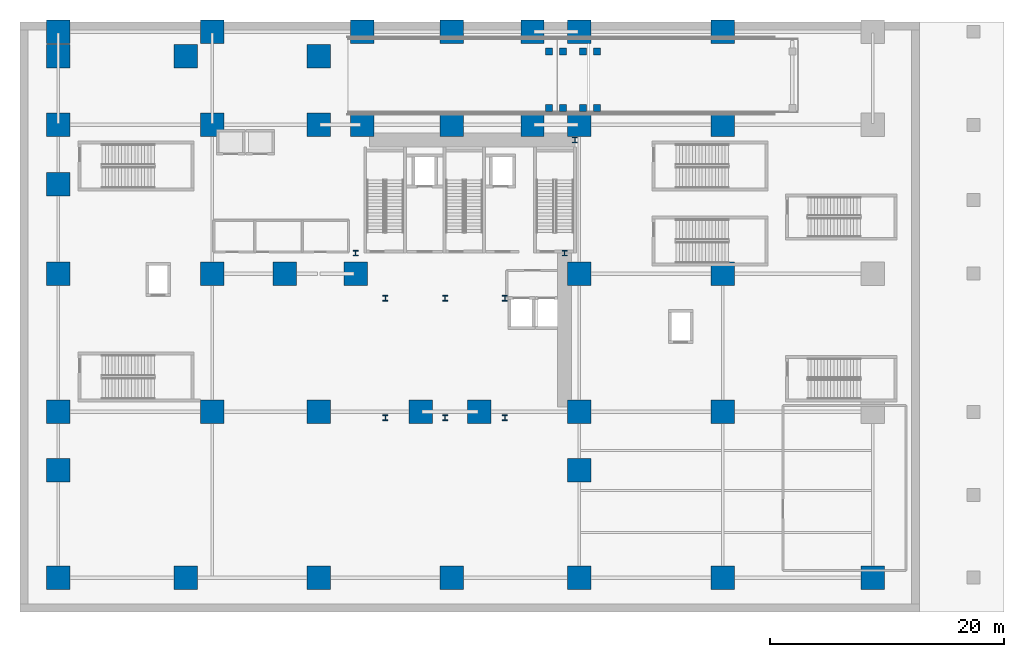
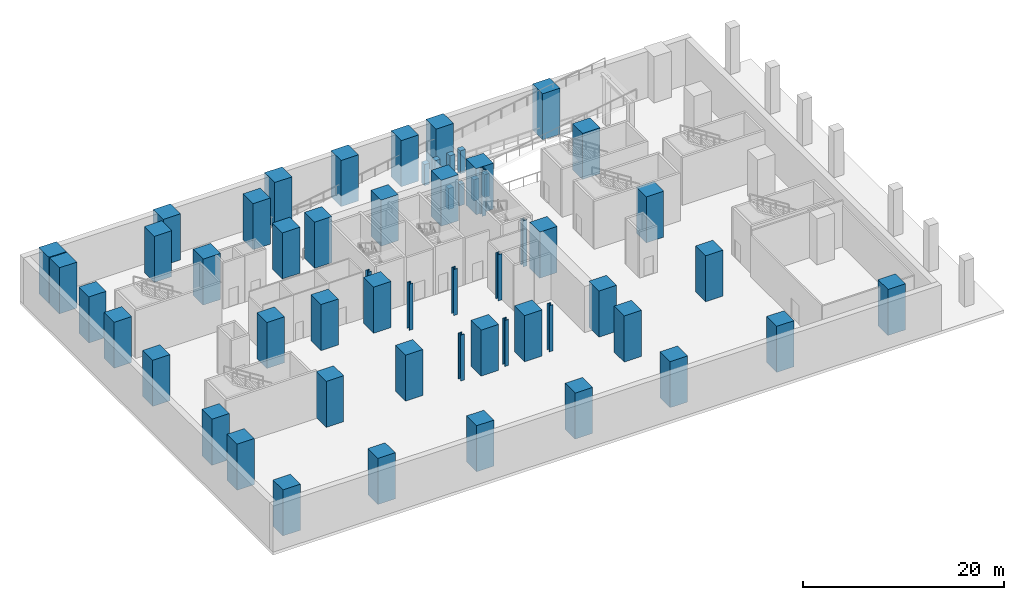
# One storey, part 1 of 16: 58 columns.
"""IFC4 building model written with IfcOpenShell, lengths in metres."""

import ifcopenshell
import ifcopenshell.guid

model = None  # the IFC model being written
_history = None  # IfcOwnerHistory: only IFC2X3 demands one
_inside = {}  # id of a spatial element -> (the spatial element, [elements in it])
_under = {}  # id of a project, library or spatial element -> (it, [spatial elements below it])
_declared = {}  # id of a project -> (the project, [libraries it declares])
_typed = {}  # id of a type object -> (the type object, [elements of that type])
_made_of = {}  # id of a material, layer set ... -> (it, [elements and type objects made of it])


def new_model(schema):
    """Start an empty IFC model of exactly this schema.

    Asked for "IFC4X3", IfcOpenShell would pick the latest addendum, in which some entities
    have other attributes; the version numbers below select the first issue.
    IFC2X3 requires an IfcOwnerHistory on every rooted entity: one is made here for all.
    """
    global model, _history
    if schema == "IFC4X3":
        model = ifcopenshell.file(schema_version=(4, 3, 0, 0))
    else:
        model = ifcopenshell.file(schema=schema)
    _inside.clear()
    _under.clear()
    _declared.clear()
    _typed.clear()
    _made_of.clear()
    _history = None
    if model.schema == "IFC2X3":
        org = make("IfcOrganization", Name="unknown")
        user = make(
            "IfcPersonAndOrganization",
            ThePerson=make("IfcPerson", FamilyName="unknown"),
            TheOrganization=org,
        )
        app = make(
            "IfcApplication",
            ApplicationDeveloper=org,
            Version="unknown",
            ApplicationFullName="unknown",
            ApplicationIdentifier="unknown",
        )
        _history = make(
            "IfcOwnerHistory",
            OwningUser=user,
            OwningApplication=app,
            ChangeAction="ADDED",
            CreationDate=0,
        )
    return model


def make(cls, **values):
    """One entity of the class cls with the attributes given. An attribute that is None is left unset."""
    return model.create_entity(
        cls, **{name: value for name, value in values.items() if value is not None}
    )


def rooted(cls, **values):
    """An entity with a GlobalId (a new one), such as an element, a storey or a relation."""
    return make(cls, GlobalId=ifcopenshell.guid.new(), OwnerHistory=_history, **values)


def si_unit(unit_type, name, prefix=None):
    """IfcSIUnit, for example si_unit("LENGTHUNIT", "METRE", prefix="MILLI")."""
    return make("IfcSIUnit", UnitType=unit_type, Prefix=prefix, Name=name)


def assignment(units):
    """IfcUnitAssignment: the units of a project."""
    return None if units is None else make("IfcUnitAssignment", Units=units)


def point(xyz):
    """IfcCartesianPoint."""
    return None if xyz is None else make("IfcCartesianPoint", Coordinates=xyz)


def direction(xyz):
    """IfcDirection."""
    return None if xyz is None else make("IfcDirection", DirectionRatios=xyz)


def frame(location, z_axis=None, x_axis=None):
    """IfcAxis2Placement3D, a coordinate frame: its origin and axes. An axis left out is left unset."""
    return make(
        "IfcAxis2Placement3D",
        Location=point(location),
        Axis=direction(z_axis),
        RefDirection=direction(x_axis),
    )


def frame_2d(location, x_axis=None):
    """IfcAxis2Placement2D, a coordinate frame in the plane: its origin and x axis."""
    return make(
        "IfcAxis2Placement2D", Location=point(location), RefDirection=direction(x_axis)
    )


def origin():
    """The frame at (0, 0, 0) with its axes left unset."""
    return frame((0.0, 0.0, 0.0))


def origin_2d():
    """The frame at (0, 0) in the plane with its x axis left unset."""
    return frame_2d((0.0, 0.0))


def place(relative_to, where):
    """IfcLocalPlacement: puts the frame where relative to a parent placement (None: the world)."""
    return make(
        "IfcLocalPlacement", PlacementRelTo=relative_to, RelativePlacement=where
    )


def context(
    kind, dimensions, precision=None, world=None, true_north=None, identifier=None
):
    """IfcGeometricRepresentationContext, for example the 3D "Model" context."""
    return make(
        "IfcGeometricRepresentationContext",
        ContextIdentifier=identifier,
        ContextType=kind,
        CoordinateSpaceDimension=dimensions,
        Precision=precision,
        WorldCoordinateSystem=world,
        TrueNorth=true_north,
    )


def subcontext(parent, identifier, kind, view, scale=None):
    """IfcGeometricRepresentationSubContext, for example "Body" below "Model"."""
    return make(
        "IfcGeometricRepresentationSubContext",
        ContextIdentifier=identifier,
        ContextType=kind,
        ParentContext=parent,
        TargetScale=scale,
        TargetView=view,
    )


def project(units=None, contexts=None):
    """IfcProject with its units and contexts."""
    return rooted(
        "IfcProject",
        Name="project",
        RepresentationContexts=contexts,
        UnitsInContext=assignment(units),
    )


def spatial(cls, under=None, at=None, **own):
    """A site, building, storey or space (cls), placed at a placement, below another one or the project."""
    s = rooted(cls, ObjectPlacement=at, **own)
    if under is not None:
        _under.setdefault(under.id(), (under, []))[1].append(s)
    return s


def profile(cls, at=None, kind="AREA", **sizes):
    """A parametric profile (cls). Its sizes go by their IFC names, for example OverallWidth=200.0."""
    return make(cls, ProfileType=kind, Position=at, **sizes)


def rectangle(**sizes):
    """IfcRectangleProfileDef."""
    return profile("IfcRectangleProfileDef", **sizes)


def i_section(**sizes):
    """IfcIShapeProfileDef."""
    return profile("IfcIShapeProfileDef", **sizes)


def extrude(swept, where, along, depth):
    """IfcExtrudedAreaSolid: the profile swept, set in the frame where, extruded along a direction by depth."""
    return make(
        "IfcExtrudedAreaSolid",
        SweptArea=swept,
        Position=where,
        ExtrudedDirection=direction(along),
        Depth=depth,
    )


def shape(context_of_items, identifier, shape_type, items):
    """IfcShapeRepresentation: the items that make up one representation, for example the "Body"."""
    return make(
        "IfcShapeRepresentation",
        ContextOfItems=context_of_items,
        RepresentationIdentifier=identifier,
        RepresentationType=shape_type,
        Items=items,
    )


def source(mapping_origin, context_of_items, identifier, shape_type, items):
    """IfcRepresentationMap: a shape defined once, which mapped items show again and again."""
    return make(
        "IfcRepresentationMap",
        MappingOrigin=mapping_origin,
        MappedRepresentation=shape(context_of_items, identifier, shape_type, items),
    )


def transform(
    local_origin,
    x_axis=None,
    y_axis=None,
    z_axis=None,
    scale=None,
    scale2=None,
    scale3=None,
    uniform=True,
):
    """IfcCartesianTransformationOperator3D, or its non-uniform kind. x_axis, y_axis, z_axis: its Axis1, 2, 3."""
    if uniform:
        return make(
            "IfcCartesianTransformationOperator3D",
            Axis1=direction(x_axis),
            Axis2=direction(y_axis),
            LocalOrigin=point(local_origin),
            Scale=scale,
            Axis3=direction(z_axis),
        )
    return make(
        "IfcCartesianTransformationOperator3DnonUniform",
        Axis1=direction(x_axis),
        Axis2=direction(y_axis),
        LocalOrigin=point(local_origin),
        Scale=scale,
        Axis3=direction(z_axis),
        Scale2=scale2,
        Scale3=scale3,
    )


def mapped(mapping_source, mapping_target):
    """IfcMappedItem: shows the shape of a source again, moved by a transform."""
    return make(
        "IfcMappedItem", MappingSource=mapping_source, MappingTarget=mapping_target
    )


def material(Name=None, Category=None):
    """IfcMaterial."""
    return make("IfcMaterial", Name=Name, Category=Category)


def material_profile(
    of_material, cross_section, Name=None, Category=None, Priority=None
):
    """IfcMaterialProfile: a cross section and its material."""
    return make(
        "IfcMaterialProfile",
        Name=Name,
        Material=of_material,
        Profile=cross_section,
        Priority=Priority,
        Category=Category,
    )


def profile_set(profiles, Name=None, composite=None):
    """IfcMaterialProfileSet."""
    return make(
        "IfcMaterialProfileSet",
        Name=Name,
        MaterialProfiles=profiles,
        CompositeProfile=composite,
    )


def made_of(thing, what):
    """Note that an element or type object is made of a material, layer set ...; save() writes the relation."""
    if what is not None:
        _made_of.setdefault(what.id(), (what, []))[1].append(thing)
    return thing


def type_object(cls, material=None, **own):
    """A type object (cls), such as IfcWallType, which elements share."""
    return made_of(rooted(cls, **own), material)


def element(
    cls,
    number,
    at=None,
    inside=None,
    cuts=None,
    type_object=None,
    material=None,
    context=None,
    identifier="Body",
    shape_type=None,
    held_by="IfcProductDefinitionShape",
    body=None,
    shapes=None,
    **own,
):
    """One element of the class cls, such as IfcWall. Its Tag is "e" and its number.

    at: its placement. inside: the storey or other place that contains it. cuts: it is an
    opening in that element (IfcRelVoidsElement). A single representation is given by context,
    identifier, shape_type and body (its items); several are given by shapes. held_by: the class
    of the entity that holds the representations. save() writes the other relations.
    """
    e = rooted(cls, Tag="e%d" % number, ObjectPlacement=at, **own)
    if body is not None:
        shapes = [shape(context, identifier, shape_type, body)]
    if shapes is not None:
        e.Representation = make(held_by, Representations=shapes)
    if inside is not None:
        _inside.setdefault(inside.id(), (inside, []))[1].append(e)
    if cuts is not None:
        rooted(
            "IfcRelVoidsElement", RelatingBuildingElement=cuts, RelatedOpeningElement=e
        )
    if type_object is not None:
        _typed.setdefault(type_object.id(), (type_object, []))[1].append(e)
    return made_of(e, material)


def aggregate(whole, parts):
    """IfcRelAggregates: a whole, such as a stair, and the parts it consists of."""
    return rooted("IfcRelAggregates", RelatingObject=whole, RelatedObjects=parts)


def save(model, path):
    """Write the relations noted so far, then the file.

    IfcRelAggregates (storeys below a building ...), IfcRelContainedInSpatialStructure (elements
    in a storey), IfcRelDefinesByType, IfcRelAssociatesMaterial and IfcRelDeclares: one each for
    every whole, place, type object, material and project.
    """
    for whole, parts in _under.values():
        aggregate(whole, parts)
    for where, things in _inside.values():
        rooted(
            "IfcRelContainedInSpatialStructure",
            RelatedElements=things,
            RelatingStructure=where,
        )
    for kind, things in _typed.values():
        rooted("IfcRelDefinesByType", RelatedObjects=things, RelatingType=kind)
    for what, things in _made_of.values():
        rooted("IfcRelAssociatesMaterial", RelatedObjects=things, RelatingMaterial=what)
    for by, libraries in _declared.values():
        rooted("IfcRelDeclares", RelatingContext=by, RelatedDefinitions=libraries)
    model.write(path)


model = new_model("IFC4")

# Units and contexts
model_context = context("Model", 3, precision=1e-05, world=origin(), true_north=direction((0.0, 1.0)))
body_context = subcontext(model_context, "Body", "Model", "MODEL_VIEW")
ifc_project = project(units=[si_unit("LENGTHUNIT", "METRE"), si_unit("AREAUNIT", "SQUARE_METRE"), si_unit("VOLUMEUNIT", "CUBIC_METRE"), si_unit("PLANEANGLEUNIT", "RADIAN"), si_unit("MASSUNIT", "GRAM", prefix="KILO")], contexts=[model_context])

# Site, building, storey
site_placement = place(None, origin())
site = spatial("IfcSite", under=ifc_project, at=site_placement, CompositionType="ELEMENT")
building_placement = place(site_placement, origin())
building = spatial("IfcBuilding", under=site, at=building_placement, Name="Vardaveli Station Tower", CompositionType="ELEMENT")
storey_placement = place(building_placement, frame((0.0, 0.0, -6.0)))
storey = spatial("IfcBuildingStorey", under=building, at=storey_placement, Name="B01", CompositionType="ELEMENT", Elevation=-6.0)

# Columns
ifc_material_1 = material(Name="Structural steel S460M", Category="steel")
ifc_material_profile_1 = material_profile(ifc_material_1, i_section(OverallWidth=0.427978515625, OverallDepth=0.48095703125, WebThickness=0.03955078125, FlangeThickness=0.0634765625, FilletRadius=0.014892578125, at=origin_2d()), Name="HD 400x677")
ifc_profile_set_1 = profile_set([ifc_material_profile_1], Name="Structural steel S460M")
column_type_1 = type_object("IfcColumnType", Name="COL-HD677", PredefinedType="COLUMN", material=ifc_profile_set_1)
shared_shape_1 = source(origin(), body_context, "Body", "SweptSolid", [
    extrude(i_section(OverallWidth=0.427978515625, OverallDepth=0.48095703125, WebThickness=0.03955078125, FlangeThickness=0.0634765625, FilletRadius=0.014892578125, at=origin_2d()), origin(), (0.0, 0.0, 1.0), 5.60009765625),
])
for number, where, z_axis, x_axis, name in (
    (1, (31.199951171875, 16.60009765625, 0.0), (0.0, 0.0, 1.0), (1.0, 0.0, 0.0), "COL-B01-AC1"),
    (2, (36.300048828125, 16.60009765625, 0.0), (0.0, 0.0, 1.0), (1.0, 0.0, 0.0), "COL-B01-AC2"),
    (3, (41.39990234375, 16.60009765625, 0.0), (0.0, 0.0, 1.0), (1.0, 0.0, 0.0), "COL-B01-AC3"),
    (4, (41.39990234375, 26.800048828125, 0.0), (0.0, 0.0, 1.0), (1.0, 0.0, 0.0), "COL-B01-AC4"),
    (5, (36.300048828125, 26.800048828125, 0.0), (0.0, 0.0, 1.0), (1.0, 0.0, 0.0), "COL-B01-AC5"),
    (6, (31.199951171875, 26.800048828125, 0.0), (0.0, 0.0, 1.0), (1.0, 0.0, 0.0), "COL-B01-AC6"),
    (7, (28.64990234375, 30.64990234375, 0.0), (0.0, 0.0, 1.0), (1.0, 0.0, 0.0), "COL-B01-CC1"),
    (8, (46.5, 30.64990234375, 0.0), (0.0, 0.0, 1.0), (1.0, 0.0, 0.0), "COL-B01-CC2"),
    (9, (47.3701171875, 40.300048828125, 0.0), (0.0, 0.0, 1.0), (1.0, 0.0, 0.0), "COL-B01-CC3"),
):
    element("IfcColumn", number, at=place(storey_placement, frame(where, z_axis=z_axis, x_axis=x_axis)), inside=storey, type_object=column_type_1, Name=name, PredefinedType="COLUMN", context=body_context, shape_type="MappedRepresentation", body=[
        mapped(shared_shape_1, transform((0.0, 0.0, 0.0), scale=1.0)),
    ])
ifc_material_2 = material(Name="Concrete C70/85", Category="concrete")
ifc_material_profile_2 = material_profile(ifc_material_2, rectangle(XDim=2.0, YDim=2.0, at=origin_2d()), Name="SC 2000x2000")
ifc_profile_set_2 = profile_set([ifc_material_profile_2], Name="Concrete C70/85")
column_type_2 = type_object("IfcColumnType", Name="COL-SC-2000", PredefinedType="COLUMN", material=ifc_profile_set_2)
shared_shape_2 = source(origin(), body_context, "Body", "SweptSolid", [
    extrude(rectangle(XDim=2.0, YDim=2.0, at=origin_2d()), origin(), (0.0, 0.0, 1.0), 5.60009765625),
])
for number, where, z_axis, x_axis, name in (
    (10, (3.25, 2.949951171875, 0.0), (0.0, 0.0, 1.0), (1.0, 0.0, 0.0), "COL-B01-SC01"),
    (11, (14.159912109375, 2.949951171875, 0.0), (0.0, 0.0, 1.0), (1.0, 0.0, 0.0), "COL-B01-SC02"),
    (12, (25.5, 2.949951171875, 0.0), (0.0, 0.0, 1.0), (1.0, 0.0, 0.0), "COL-B01-SC03"),
    (13, (36.840087890625, 2.949951171875, 0.0), (0.0, 0.0, 1.0), (1.0, 0.0, 0.0), "COL-B01-SC04"),
    (14, (47.75, 2.949951171875, 0.0), (0.0, 0.0, 1.0), (1.0, 0.0, 0.0), "COL-B01-SC05"),
    (15, (60.0, 2.949951171875, 0.0), (0.0, 0.0, 1.0), (1.0, 0.0, 0.0), "COL-B01-SC06"),
    (16, (72.800048828125, 2.949951171875, 0.0), (0.0, 0.0, 1.0), (1.0, 0.0, 0.0), "COL-B01-SC07"),
    (17, (3.25, 12.10009765625, 0.0), (0.0, 0.0, 1.0), (1.0, 0.0, 0.0), "COL-B01-SC08"),
    (18, (47.75, 12.10009765625, 0.0), (0.0, 0.0, 1.0), (1.0, 0.0, 0.0), "COL-B01-SC09"),
    (19, (3.25, 17.10009765625, 0.0), (0.0, 0.0, 1.0), (1.0, 0.0, 0.0), "COL-B01-SC10"),
    (20, (16.39990234375, 17.10009765625, 0.0), (0.0, 0.0, 1.0), (1.0, 0.0, 0.0), "COL-B01-SC11"),
    (21, (25.5, 17.10009765625, 0.0), (0.0, 0.0, 1.0), (1.0, 0.0, 0.0), "COL-B01-SC12"),
    (22, (34.199951171875, 17.10009765625, 0.0), (0.0, 0.0, 1.0), (1.0, 0.0, 0.0), "COL-B01-SC12B"),
    (23, (39.199951171875, 17.10009765625, 0.0), (0.0, 0.0, 1.0), (1.0, 0.0, 0.0), "COL-B01-SC12C"),
    (24, (47.75, 17.10009765625, 0.0), (0.0, 0.0, 1.0), (1.0, 0.0, 0.0), "COL-B01-SC13"),
    (25, (60.0, 17.10009765625, 0.0), (0.0, 0.0, 1.0), (1.0, 0.0, 0.0), "COL-B01-SC14"),
    (26, (3.25, 28.89990234375, 0.0), (0.0, 0.0, 1.0), (1.0, 0.0, 0.0), "COL-B01-SC16"),
    (27, (16.39990234375, 28.89990234375, 0.0), (0.0, 0.0, 1.0), (1.0, 0.0, 0.0), "COL-B01-SC17"),
    (28, (22.60009765625, 28.89990234375, 0.0), (0.0, 0.0, 1.0), (1.0, 0.0, 0.0), "COL-B01-SC17B"),
    (29, (28.64990234375, 28.89990234375, 0.0), (0.0, 0.0, 1.0), (1.0, 0.0, 0.0), "COL-B01-SC17C"),
    (30, (47.75, 28.89990234375, 0.0), (0.0, 0.0, 1.0), (1.0, 0.0, 0.0), "COL-B01-SC18"),
    (31, (60.0, 28.89990234375, 0.0), (0.0, 0.0, 1.0), (1.0, 0.0, 0.0), "COL-B01-SC18B"),
    (32, (3.25, 36.5400390625, 0.0), (0.0, 0.0, 1.0), (1.0, 0.0, 0.0), "COL-B01-SC20"),
    (33, (3.25, 41.60009765625, 0.0), (0.0, 0.0, 1.0), (1.0, 0.0, 0.0), "COL-B01-SC20B"),
    (34, (3.25, 49.550048828125, 0.0), (0.0, 0.0, 1.0), (1.0, 0.0, 0.0), "COL-B01-SC20C"),
    (35, (16.39990234375, 41.60009765625, 0.0), (0.0, 0.0, 1.0), (1.0, 0.0, 0.0), "COL-B01-SC21"),
    (36, (25.5, 41.60009765625, 0.0), (0.0, 0.0, 1.0), (1.0, 0.0, 0.0), "COL-B01-SC21B"),
    (37, (29.199951171875, 41.60009765625, 0.0), (0.0, 0.0, 1.0), (1.0, 0.0, 0.0), "COL-B01-SC22"),
    (38, (36.840087890625, 41.60009765625, 0.0), (0.0, 0.0, 1.0), (1.0, 0.0, 0.0), "COL-B01-SC23"),
    (39, (43.75, 41.60009765625, 0.0), (0.0, 0.0, 1.0), (1.0, 0.0, 0.0), "COL-B01-SC24"),
    (40, (47.75, 41.60009765625, 0.0), (0.0, 0.0, 1.0), (1.0, 0.0, 0.0), "COL-B01-SC25"),
    (41, (60.0, 41.60009765625, 0.0), (0.0, 0.0, 1.0), (1.0, 0.0, 0.0), "COL-B01-SC26"),
    (42, (3.25, 47.449951171875, 0.0), (0.0, 0.0, 1.0), (1.0, 0.0, 0.0), "COL-B01-SC28"),
    (43, (14.159912109375, 47.449951171875, 0.0), (0.0, 0.0, 1.0), (1.0, 0.0, 0.0), "COL-B01-SC29"),
    (44, (25.5, 47.449951171875, 0.0), (0.0, 0.0, 1.0), (1.0, 0.0, 0.0), "COL-B01-SC30"),
    (45, (16.39990234375, 49.550048828125, 0.0), (0.0, 0.0, 1.0), (1.0, 0.0, 0.0), "COL-B01-SC30B"),
    (46, (29.199951171875, 49.550048828125, 0.0), (0.0, 0.0, 1.0), (1.0, 0.0, 0.0), "COL-B01-SC31"),
    (47, (36.840087890625, 49.550048828125, 0.0), (0.0, 0.0, 1.0), (1.0, 0.0, 0.0), "COL-B01-SC32"),
    (48, (43.75, 49.550048828125, 0.0), (0.0, 0.0, 1.0), (1.0, 0.0, 0.0), "COL-B01-SC33"),
    (49, (47.75, 49.550048828125, 0.0), (0.0, 0.0, 1.0), (1.0, 0.0, 0.0), "COL-B01-SC34"),
    (50, (60.0, 49.550048828125, 0.0), (0.0, 0.0, 1.0), (1.0, 0.0, 0.0), "COL-B01-SC35"),
):
    element("IfcColumn", number, at=place(storey_placement, frame(where, z_axis=z_axis, x_axis=x_axis)), inside=storey, type_object=column_type_2, Name=name, PredefinedType="COLUMN", context=body_context, shape_type="MappedRepresentation", body=[
        mapped(shared_shape_2, transform((0.0, 0.0, 0.0), scale=1.0)),
    ])
ifc_material_3 = material(Name="Concrete C50/60", Category="concrete")
ifc_material_profile_3 = material_profile(ifc_material_3, rectangle(XDim=0.60009765625, YDim=0.60009765625, at=origin_2d()), Name="RC 600x600")
ifc_profile_set_3 = profile_set([ifc_material_profile_3], Name="Concrete C50/60")
column_type_3 = type_object("IfcColumnType", Name="COL-RC-600", PredefinedType="COLUMN", material=ifc_profile_set_3)
shared_shape_3 = source(origin(), body_context, "Body", "SweptSolid", [
    extrude(rectangle(XDim=0.60009765625, YDim=0.60009765625, at=origin_2d()), origin(), (0.0, 0.0, 1.0), 2.787841796875),
])
for number, where, z_axis, x_axis, name in (
    (51, (49.260009765625, 43.050048828125, 0.0), (0.0, 0.0, 1.0), (1.0, 0.0, 0.0), "RMP-VEH-01-COLF1B1"),
    (52, (49.260009765625, 47.85009765625, 0.0), (0.0, 0.0, 1.0), (1.0, 0.0, 0.0), "RMP-VEH-01-COLF1B2"),
):
    element("IfcColumn", number, at=place(storey_placement, frame(where, z_axis=z_axis, x_axis=x_axis)), inside=storey, type_object=column_type_3, Name=name, PredefinedType="COLUMN", context=body_context, shape_type="MappedRepresentation", body=[
        mapped(shared_shape_3, transform((0.0, 0.0, 0.0), scale=1.0)),
    ])
shared_shape_4 = source(origin(), body_context, "Body", "SweptSolid", [
    extrude(rectangle(XDim=0.60009765625, YDim=0.60009765625, at=origin_2d()), origin(), (0.0, 0.0, 1.0), 2.60009765625),
])
for number, where, z_axis, x_axis, name in (
    (53, (46.35009765625, 43.050048828125, 0.0), (0.0, 0.0, 1.0), (1.0, 0.0, 0.0), "RMP-VEH-01-COL1"),
    (54, (48.050048828125, 43.050048828125, 0.0), (0.0, 0.0, 1.0), (1.0, 0.0, 0.0), "RMP-VEH-01-COL2"),
    (55, (46.35009765625, 47.85009765625, 0.0), (0.0, 0.0, 1.0), (1.0, 0.0, 0.0), "RMP-VEH-01-COL3"),
    (56, (48.050048828125, 47.85009765625, 0.0), (0.0, 0.0, 1.0), (1.0, 0.0, 0.0), "RMP-VEH-01-COL4"),
):
    element("IfcColumn", number, at=place(storey_placement, frame(where, z_axis=z_axis, x_axis=x_axis)), inside=storey, type_object=column_type_3, Name=name, PredefinedType="COLUMN", context=body_context, shape_type="MappedRepresentation", body=[
        mapped(shared_shape_4, transform((0.0, 0.0, 0.0), scale=1.0)),
    ])
shared_shape_5 = source(origin(), body_context, "Body", "SweptSolid", [
    extrude(rectangle(XDim=0.60009765625, YDim=0.60009765625, at=origin_2d()), origin(), (0.0, 0.0, 1.0), 2.552001953125),
])
for number, where, z_axis, x_axis, name in (
    (57, (45.139892578125, 43.050048828125, 0.0), (0.0, 0.0, 1.0), (1.0, 0.0, 0.0), "RMP-VEH-01-COLF2T1"),
    (58, (45.139892578125, 47.85009765625, 0.0), (0.0, 0.0, 1.0), (1.0, 0.0, 0.0), "RMP-VEH-01-COLF2T2"),
):
    element("IfcColumn", number, at=place(storey_placement, frame(where, z_axis=z_axis, x_axis=x_axis)), inside=storey, type_object=column_type_3, Name=name, PredefinedType="COLUMN", context=body_context, shape_type="MappedRepresentation", body=[
        mapped(shared_shape_5, transform((0.0, 0.0, 0.0), scale=1.0)),
    ])

save(model, "model.ifc")
